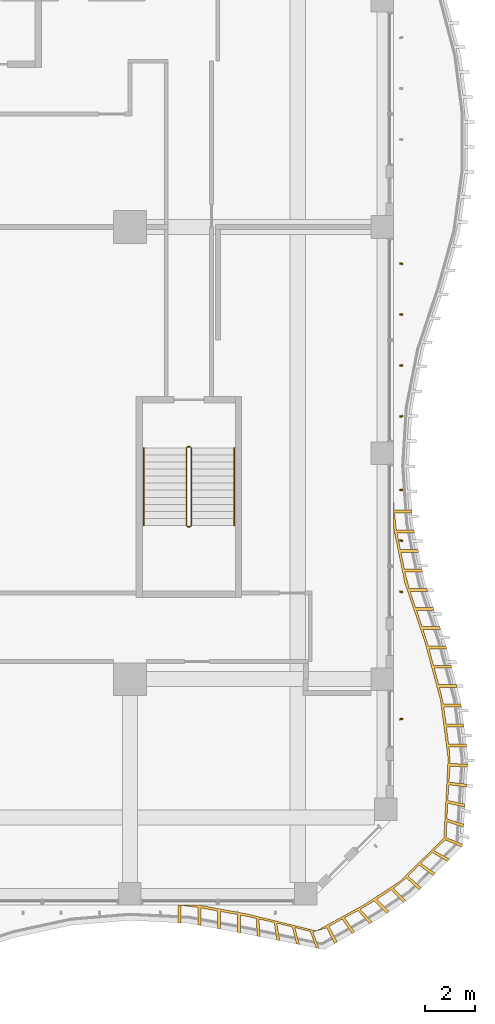
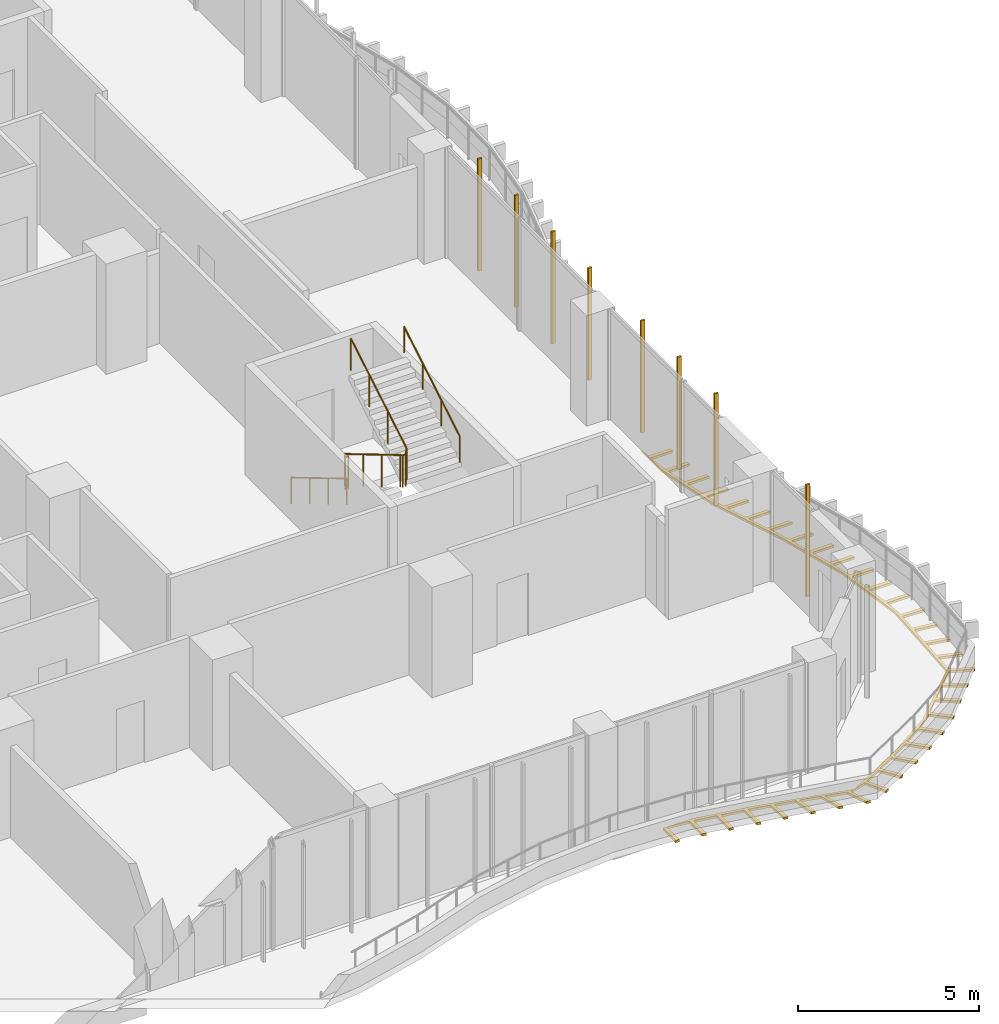
# One storey, part 23 of 27: 9 shading devices, 3 railings.
"""IFC4 building model written with IfcOpenShell, lengths in metres."""

from ifc_helpers import new_model, si_unit, direction, frame, origin, origin_2d, place, context, subcontext, project, spatial, polyline, rectangle, circle, outline, extrude, source, transform, mapped, material, layer, layer_set, material_profile, profile_set, type_object, element, save


model = new_model("IFC4")

# Units and contexts
model_context = context("Model", 3, precision=1e-05, world=origin(), true_north=direction((0.0, 1.0)))
body_context = subcontext(model_context, "Body", "Model", "MODEL_VIEW")
ifc_project = project(units=[si_unit("LENGTHUNIT", "METRE"), si_unit("AREAUNIT", "SQUARE_METRE"), si_unit("VOLUMEUNIT", "CUBIC_METRE"), si_unit("PLANEANGLEUNIT", "RADIAN"), si_unit("MASSUNIT", "GRAM", prefix="KILO")], contexts=[model_context])

# Site, building, storey
site_placement = place(None, origin())
site = spatial("IfcSite", under=ifc_project, at=site_placement, CompositionType="ELEMENT")
building_placement = place(site_placement, origin())
building = spatial("IfcBuilding", under=site, at=building_placement, Name="Kilnfold Tower and Market Hall", CompositionType="ELEMENT")
storey_placement = place(building_placement, frame((0.0, 0.0, 51.0)))
storey = spatial("IfcBuildingStorey", under=building, at=storey_placement, Name="L11", CompositionType="ELEMENT", Elevation=51.0)

# Railings
ifc_material_1 = material(Name="Stainless steel 316", Category="steel")
railing_type_1 = type_object("IfcRailingType", Name="CORE STAIR GUARD 1100", PredefinedType="GUARDRAIL", material=ifc_material_1)
railing_1_placement = place(storey_placement, frame((19.89990234375, -9.75, 0.0)))
element("IfcRailing", 1, at=railing_1_placement, inside=storey, type_object=railing_type_1, Name="L11 ST4 stair guard 1", PredefinedType="GUARDRAIL", context=body_context, shape_type="SweptSolid", body=[
    extrude(circle(Radius=0.02392578125, at=origin_2d()), frame((0.0, 0.0, 1.076171875), z_axis=(-1.0, 0.0, 0.0), x_axis=(0.0, -1.0, 0.0)), (0.0, 0.0, 1.0), 0.099853515625),
    extrude(circle(Radius=0.02392578125, at=origin_2d()), frame((-0.099853515625, 0.0, 1.076171875), z_axis=(-0.27628659633, -0.27628659633, 0.920506074601), x_axis=(0.707106781187, -0.707106781187, 0.0)), (0.0, 0.0, 1.0), 0.18115234375),
    extrude(circle(Radius=0.02392578125, at=origin_2d()), frame((-0.14990234375, -0.050048828125, 1.24267578125), z_axis=(0.0, -0.859290745958, 0.51148745235), x_axis=(1.0, 0.0, 0.0)), (0.0, 0.0, 1.0), 3.584228515625),
    extrude(circle(Radius=0.02392578125, at=origin_2d()), frame((-0.14990234375, -3.1298828125, 3.076171875), z_axis=(0.707106781187, -0.707106781187, 0.0), x_axis=(0.707106781187, 0.707106781187, 0.0)), (0.0, 0.0, 1.0), 0.07080078125),
    extrude(circle(Radius=0.02392578125, at=origin_2d()), frame((-0.099853515625, -3.179931640625, 3.076171875), z_axis=(1.0, 0.0, 0.0), x_axis=(0.0, 1.0, 0.0)), (0.0, 0.0, 1.0), 0.099853515625),
    extrude(circle(Radius=0.02392578125, at=origin_2d()), frame((0.0, -3.179931640625, 3.076171875), z_axis=(0.27628659633, 0.27628659633, 0.920506074601), x_axis=(-0.707106781187, 0.707106781187, 0.0)), (0.0, 0.0, 1.0), 0.18115234375),
    extrude(circle(Radius=0.02392578125, at=origin_2d()), frame((0.050048828125, -3.1298828125, 3.24267578125), z_axis=(0.0, 0.859290745958, 0.51148745235), x_axis=(-1.0, 0.0, 0.0)), (0.0, 0.0, 1.0), 3.584228515625),
    extrude(circle(Radius=0.02099609375, at=origin_2d()), origin(), (0.0, 0.0, 1.0), 1.052001953125),
    extrude(circle(Radius=0.02099609375, at=origin_2d()), frame((-0.099853515625, 0.0, 0.0)), (0.0, 0.0, 1.0), 1.052001953125),
    extrude(circle(Radius=0.02099609375, at=origin_2d()), frame((-0.14990234375, -0.050048828125, 0.166748046875)), (0.0, 0.0, 1.0), 1.052001953125),
    extrude(circle(Radius=0.02099609375, at=origin_2d()), frame((-0.14990234375, -1.07666015625, 0.77783203125)), (0.0, 0.0, 1.0), 1.052001953125),
    extrude(circle(Radius=0.02099609375, at=origin_2d()), frame((-0.14990234375, -2.103271484375, 1.388916015625)), (0.0, 0.0, 1.0), 1.052001953125),
    extrude(circle(Radius=0.02099609375, at=origin_2d()), frame((-0.14990234375, -3.1298828125, 2.0)), (0.0, 0.0, 1.0), 1.052001953125),
    extrude(circle(Radius=0.02099609375, at=origin_2d()), frame((-0.099853515625, -3.179931640625, 2.0)), (0.0, 0.0, 1.0), 1.052001953125),
    extrude(circle(Radius=0.02099609375, at=origin_2d()), frame((0.0, -3.179931640625, 2.0)), (0.0, 0.0, 1.0), 1.052001953125),
    extrude(circle(Radius=0.02099609375, at=origin_2d()), frame((0.050048828125, -3.1298828125, 2.166748046875)), (0.0, 0.0, 1.0), 1.052001953125),
    extrude(circle(Radius=0.02099609375, at=origin_2d()), frame((0.050048828125, -2.103271484375, 2.77783203125)), (0.0, 0.0, 1.0), 1.052001953125),
    extrude(circle(Radius=0.02099609375, at=origin_2d()), frame((0.050048828125, -1.07666015625, 3.388916015625)), (0.0, 0.0, 1.0), 1.052001953125),
    extrude(circle(Radius=0.02099609375, at=origin_2d()), frame((0.050048828125, -0.050048828125, 4.0)), (0.0, 0.0, 1.0), 1.052001953125),
])
ifc_material_2 = material(Name="Stainless steel 316", Category="steel")
railing_type_2 = type_object("IfcRailingType", Name="CORE STAIR HANDRAIL 900", PredefinedType="HANDRAIL", material=ifc_material_2)
railing_2_placement = place(storey_placement, frame((18.050048828125, -9.800048828125, 0.166748046875)))
element("IfcRailing", 2, at=railing_2_placement, inside=storey, type_object=railing_type_2, Name="L11 ST4 stair handrail 1", PredefinedType="HANDRAIL", context=body_context, shape_type="SweptSolid", body=[
    extrude(circle(Radius=0.02392578125, at=origin_2d()), frame((0.0, 0.0, 0.8759765625), z_axis=(0.0, -0.859290745958, 0.51148745235), x_axis=(1.0, 0.0, 0.0)), (0.0, 0.0, 1.0), 3.584228515625),
    extrude(circle(Radius=0.02099609375, at=origin_2d()), origin(), (0.0, 0.0, 1.0), 0.851806640625),
    extrude(circle(Radius=0.02099609375, at=origin_2d()), frame((0.0, -1.026611328125, 0.611083984375)), (0.0, 0.0, 1.0), 0.851806640625),
    extrude(circle(Radius=0.02099609375, at=origin_2d()), frame((0.0, -2.05322265625, 1.22216796875)), (0.0, 0.0, 1.0), 0.851806640625),
    extrude(circle(Radius=0.02099609375, at=origin_2d()), frame((0.0, -3.079833984375, 1.833251953125)), (0.0, 0.0, 1.0), 0.851806640625),
])
railing_3_placement = place(storey_placement, frame((21.64990234375, -12.8798828125, 2.166748046875)))
element("IfcRailing", 3, at=railing_3_placement, inside=storey, type_object=railing_type_2, Name="L11 ST4 stair handrail 2", PredefinedType="HANDRAIL", context=body_context, shape_type="SweptSolid", body=[
    extrude(circle(Radius=0.02392578125, at=origin_2d()), frame((0.0, 0.0, 0.8759765625), z_axis=(0.0, 0.859290745958, 0.51148745235), x_axis=(-1.0, 0.0, 0.0)), (0.0, 0.0, 1.0), 3.584228515625),
    extrude(circle(Radius=0.02099609375, at=origin_2d()), origin(), (0.0, 0.0, 1.0), 0.851806640625),
    extrude(circle(Radius=0.02099609375, at=origin_2d()), frame((0.0, 1.026611328125, 0.611083984375)), (0.0, 0.0, 1.0), 0.851806640625),
    extrude(circle(Radius=0.02099609375, at=origin_2d()), frame((0.0, 2.05322265625, 1.22216796875)), (0.0, 0.0, 1.0), 0.851806640625),
    extrude(circle(Radius=0.02099609375, at=origin_2d()), frame((0.0, 3.079833984375, 1.833251953125)), (0.0, 0.0, 1.0), 0.851806640625),
])

# Shading devices
ifc_material_3 = material(Name="Terracotta", Category="masonry")
ifc_material_profile = material_profile(ifc_material_3, rectangle(XDim=0.06005859375, YDim=0.1201171875, at=origin_2d()), Name="BAG 60x120")
ifc_profile_set = profile_set([ifc_material_profile], Name="Terracotta")
shading_device_type_1 = type_object("IfcShadingDeviceType", Name="BAGUETTE", PredefinedType="USERDEFINED", material=ifc_profile_set)
shared_shape_1 = source(origin(), body_context, "Body", "SweptSolid", [
    extrude(rectangle(XDim=0.06005859375, YDim=0.1201171875, at=origin_2d()), origin(), (0.0, 0.0, 1.0), 3.780029296875),
])
for number, where, z_axis, x_axis, name in (
    (4, (28.300048828125, -20.5908203125, 0.0), (0.0, 0.0, 1.0), (-0.094299445759, 0.995543878756, 0.0), "Terracotta baguette L11 E"),
    (5, (28.300048828125, -15.52490234375, 0.0), (0.0, 0.0, 1.0), (0.139062486087, 0.990283608348, 0.0), "Terracotta baguette L11 E"),
    (6, (28.300048828125, -13.487548828125, 0.0), (0.0, 0.0, 1.0), (0.089447100582, 0.995991574361, 0.0), "Terracotta baguette L11 E"),
    (7, (28.300048828125, -11.46240234375, 0.0), (0.0, 0.0, 1.0), (-0.029428982947, 0.999566873682, 0.0), "Terracotta baguette L11 E"),
    (8, (28.300048828125, -8.53759765625, 0.0), (0.0, 0.0, 1.0), (-0.139029646963, 0.99028821929, 0.0), "Terracotta baguette L11 E"),
    (9, (28.300048828125, -6.512451171875, 0.0), (0.0, 0.0, 1.0), (-0.09063953278, 0.995883765857, 0.0), "Terracotta baguette L11 E"),
    (10, (28.300048828125, -4.487548828125, 0.0), (0.0, 0.0, 1.0), (0.027897213632, 0.999610796996, 0.0), "Terracotta baguette L11 E"),
    (11, (28.300048828125, -2.46240234375, 0.0), (0.0, 0.0, 1.0), (0.124737552028, 0.992189771724, 0.0), "Terracotta baguette L11 E"),
):
    element("IfcShadingDevice", number, at=place(storey_placement, frame(where, z_axis=z_axis, x_axis=x_axis)), inside=storey, type_object=shading_device_type_1, Name=name, ObjectType="BAGUETTE", PredefinedType="USERDEFINED", context=body_context, shape_type="MappedRepresentation", body=[
        mapped(shared_shape_1, transform((0.0, 0.0, 0.0))),
    ])
ifc_material_4 = material(Name="Bronze anodised aluminium", Category="aluminium")
ifc_layer = layer(ifc_material_4, 0.080078125)
ifc_layer_set = layer_set([ifc_layer], Name="Bronze anodised aluminium")
shading_device_type_2 = type_object("IfcShadingDeviceType", Name="BRONZE SLAT SOFFIT 80", PredefinedType="USERDEFINED", material=ifc_layer_set)
shared_shape_2 = source(origin(), body_context, "Body", "SweptSolid", [
    extrude(outline(polyline([(22.166748046875, -28.3466796875), (24.923583984375, -29.022216796875), (26.814208984375, -27.98095703125), (28.226806640625, -27.060302734375), (29.9951171875, -25.326416015625), (30.1640625, -22.166748046875), (29.860595703125, -19.833251953125), (29.232177734375, -17.5), (28.440185546875, -15.166748046875), (28.0, -13.01611328125), (28.0, -11.934326171875), (28.022705078125, -12.260986328125), (28.722900390625, -12.260986328125), (28.731201171875, -12.380859375), (28.031005859375, -12.380859375), (28.10791015625, -13.05517578125), (28.80810546875, -13.05517578125), (28.83203125, -13.172607421875), (28.132080078125, -13.172607421875), (28.268310546875, -13.8388671875), (28.968505859375, -13.8388671875), (28.992431640625, -13.956298828125), (28.29248046875, -13.956298828125), (28.4287109375, -14.62255859375), (29.12890625, -14.62255859375), (29.15283203125, -14.740234375), (28.452880859375, -14.740234375), (28.61865234375, -15.3984375), (29.318603515625, -15.3984375), (29.357421875, -15.511962890625), (28.6572265625, -15.511962890625), (28.8759765625, -16.156005859375), (29.575927734375, -16.156005859375), (29.614501953125, -16.26953125), (28.91455078125, -16.26953125), (29.133056640625, -16.91357421875), (29.8330078125, -16.91357421875), (29.87158203125, -17.027099609375), (29.171630859375, -17.027099609375), (29.379150390625, -17.67431640625), (30.0791015625, -17.67431640625), (30.1103515625, -17.790283203125), (29.410400390625, -17.790283203125), (29.587158203125, -18.447021484375), (30.287109375, -18.447021484375), (30.318359375, -18.562744140625), (29.618408203125, -18.562744140625), (29.795166015625, -19.219482421875), (30.4951171875, -19.219482421875), (30.5263671875, -19.335205078125), (29.826416015625, -19.335205078125), (29.981689453125, -19.99609375), (30.681640625, -19.99609375), (30.697265625, -20.114990234375), (29.997314453125, -20.114990234375), (30.0849609375, -20.789306640625), (30.784912109375, -20.789306640625), (30.80029296875, -20.908447265625), (30.100341796875, -20.908447265625), (30.18798828125, -21.582763671875), (30.88818359375, -21.582763671875), (30.903564453125, -21.70166015625), (30.20361328125, -21.70166015625), (30.250244140625, -22.361083984375), (30.9501953125, -22.377197265625), (30.942138671875, -22.4970703125), (30.24267578125, -22.471435546875), (30.20166015625, -23.096435546875), (30.897216796875, -23.175537109375), (30.88916015625, -23.29541015625), (30.19482421875, -23.20654296875), (30.158935546875, -23.831298828125), (30.84423828125, -23.973876953125), (30.836181640625, -24.093505859375), (30.15283203125, -23.94189453125), (30.121826171875, -24.56787109375), (30.791259765625, -24.772216796875), (30.783203125, -24.891845703125), (30.11669921875, -24.678466796875), (30.08984375, -25.306884765625), (30.73828125, -25.5703125), (30.734130859375, -25.632568359375), (30.69384765625, -25.673828125), (30.04931640625, -25.40087890625), (29.603759765625, -25.827880859375), (30.219482421875, -26.160888671875), (30.1357421875, -26.246826171875), (29.52587890625, -25.9033203125), (29.08740234375, -26.3330078125), (29.661376953125, -26.73388671875), (29.577392578125, -26.820068359375), (29.0107421875, -26.4091796875), (28.578369140625, -26.84375), (29.10302734375, -27.30712890625), (29.019287109375, -27.39306640625), (28.502685546875, -26.9208984375), (28.000244140625, -27.32470703125), (28.4951171875, -27.819580078125), (28.39453125, -27.88525390625), (27.899658203125, -27.390380859375), (27.330078125, -27.76171875), (27.824951171875, -28.256591796875), (27.724365234375, -28.322021484375), (27.2294921875, -27.8271484375), (26.672119140625, -28.16357421875), (27.14599609375, -28.6787109375), (27.04150390625, -28.73779296875), (26.577392578125, -28.213623046875), (26.045166015625, -28.5009765625), (26.449462890625, -29.072265625), (26.344970703125, -29.13134765625), (25.95166015625, -28.55224609375), (25.425048828125, -28.847412109375), (25.752685546875, -29.4658203125), (25.6484375, -29.52490234375), (25.33251953125, -28.900146484375), (24.782470703125, -29.069091796875), (25.034423828125, -29.72216796875), (24.916748046875, -29.698486328125), (24.674560546875, -29.0419921875), (24.064697265625, -28.889892578125), (24.25, -29.564697265625), (24.13232421875, -29.541259765625), (23.95751953125, -28.86328125), (23.35009765625, -28.717041015625), (23.4658203125, -29.407470703125), (23.34814453125, -29.3837890625), (23.242919921875, -28.69189453125), (22.635986328125, -28.551513671875), (22.681396484375, -29.25), (22.563720703125, -29.226318359375), (22.52880859375, -28.52734375), (21.896240234375, -28.39697265625), (21.896240234375, -29.096923828125), (21.778076171875, -29.0751953125), (21.778076171875, -28.375244140625), (21.109375, -28.25244140625), (21.109375, -28.952392578125), (21.0068359375, -28.93359375), (20.9912109375, -28.930908203125), (20.9912109375, -28.23095703125), (20.322509765625, -28.10791015625), (20.322509765625, -28.80810546875), (20.20458984375, -28.786376953125), (20.20458984375, -28.08642578125), (19.531005859375, -28.003173828125), (19.531005859375, -28.703125), (19.4111328125, -28.697265625), (19.4111328125, -28.0), (20.27880859375, -28.0), (22.166748046875, -28.3466796875)])), origin(), (0.0, 0.0, 1.0), 0.080078125),
])
shading_device_placement = place(storey_placement, frame((0.0, 0.0, -0.300048828125)))
element("IfcShadingDevice", 12, at=shading_device_placement, inside=storey, type_object=shading_device_type_2, Name="Balcony soffit slats L11", ObjectType="SLAT", PredefinedType="USERDEFINED", context=body_context, shape_type="MappedRepresentation", body=[
    mapped(shared_shape_2, transform((0.0, 0.0, 0.0))),
])

save(model, "model.ifc")
